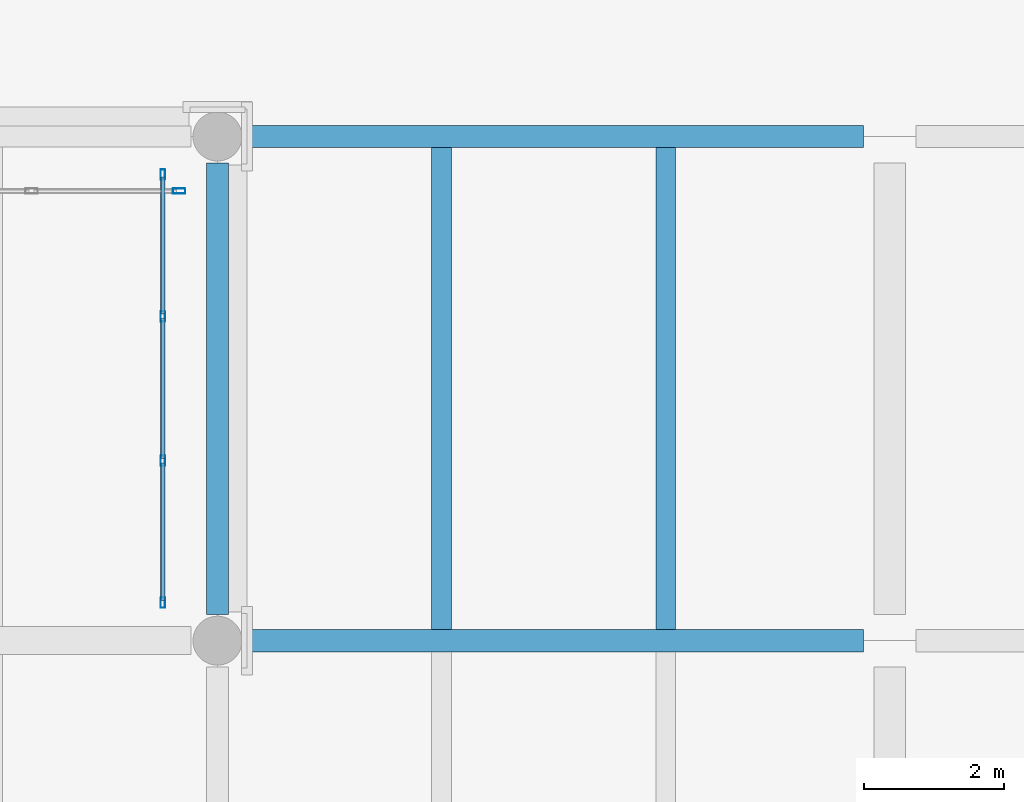
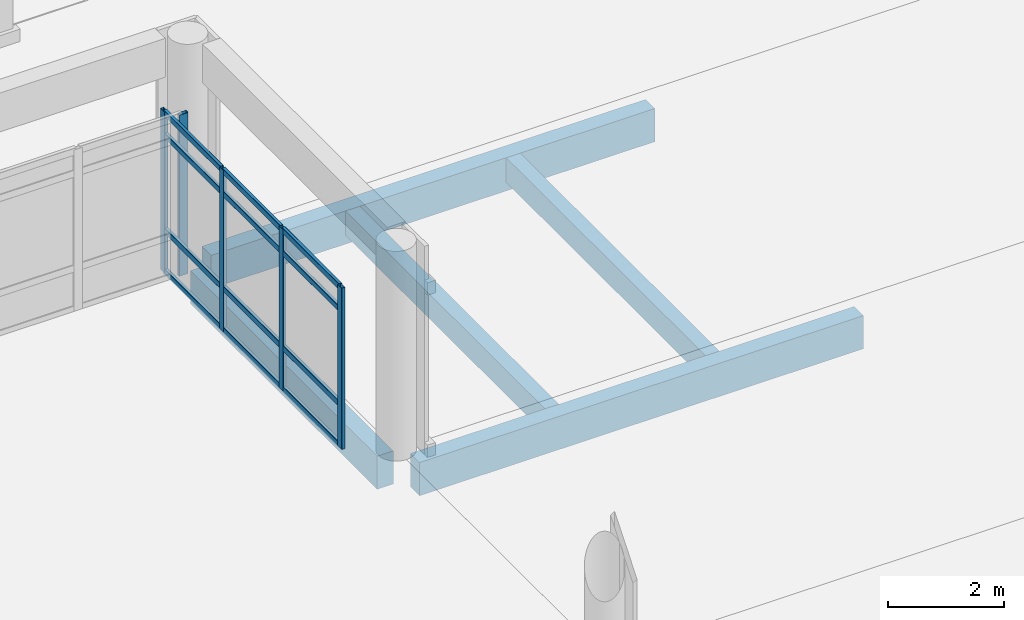
# One storey, part 66 of 196: 17 members, 5 beams, 2 elements without a shape of their own.
"""IFC4 building model written with IfcOpenShell, lengths in metres."""

from ifc_helpers import new_model, si_unit, direction, frame, origin, origin_2d, place, context, subcontext, project, spatial, rectangle, hollow_rectangle, extrude, material, layer, layer_set, material_profile, profile_set, type_object, element, aggregate, save


model = new_model("IFC4")

# Units and contexts
model_context = context("Model", 3, precision=1e-05, world=origin(), true_north=direction((0.0, 1.0)))
body_context = subcontext(model_context, "Body", "Model", "MODEL_VIEW")
ifc_project = project(units=[si_unit("LENGTHUNIT", "METRE"), si_unit("AREAUNIT", "SQUARE_METRE"), si_unit("VOLUMEUNIT", "CUBIC_METRE"), si_unit("PLANEANGLEUNIT", "RADIAN"), si_unit("MASSUNIT", "GRAM", prefix="KILO")], contexts=[model_context])

# Site, building, storey
site_placement = place(None, origin())
site = spatial("IfcSite", under=ifc_project, at=site_placement, CompositionType="ELEMENT")
building_placement = place(site_placement, origin())
building = spatial("IfcBuilding", under=site, at=building_placement, Name="Asteropetra Specialist Clinic", CompositionType="ELEMENT")
storey_placement = place(building_placement, origin())
storey = spatial("IfcBuildingStorey", under=building, at=storey_placement, Name="L00", CompositionType="ELEMENT", Elevation=0.0)

# Curtain wall, members
ifc_material_1 = material(Name="Aluminium and low-E glass", Category="aluminium")
ifc_layer_1 = layer(ifc_material_1, 0.179931640625)
ifc_layer_set_1 = layer_set([ifc_layer_1], Name="Aluminium and low-E glass")
curtain_wall_type_1 = type_object("IfcCurtainWallType", Name="CW-SYS-01", PredefinedType="USERDEFINED", material=ifc_layer_set_1)
curtain_wall_1_placement = place(storey_placement, origin())
curtain_wall_1 = element("IfcCurtainWall", 1, at=curtain_wall_1_placement, inside=storey, type_object=curtain_wall_type_1, Name="Curtain Wall CW-154", ObjectType="UNITISED CURTAIN WALL", PredefinedType="USERDEFINED")
ifc_material_2 = material(Name="Aluminium 6063-T6", Category="aluminium")
ifc_material_profile_1 = material_profile(ifc_material_2, hollow_rectangle(XDim=0.06494140625, YDim=0.14990234375, WallThickness=0.00390625, InnerFilletRadius=0.00390625, OuterFilletRadius=0.008056640625, at=origin_2d()), Name="MUL 150x65x4.0")
ifc_profile_set_1 = profile_set([ifc_material_profile_1], Name="Aluminium 6063-T6")
member_type_1 = type_object("IfcMemberType", Name="CWM-150x65", PredefinedType="MULLION", material=ifc_profile_set_1)
member_1_placement = place(storey_placement, frame((47.219970703125, 55.742431640625, 0.0), z_axis=(0.0, 0.0, 1.0), x_axis=(-1.0, 0.0, 0.0)))
member_1 = element("IfcMember", 2, at=member_1_placement, type_object=member_type_1, Name="CW-154 mullion 1", PredefinedType="MULLION", context=body_context, shape_type="SweptSolid", body=[
    extrude(hollow_rectangle(XDim=0.06494140625, YDim=0.14990234375, WallThickness=0.00390625, InnerFilletRadius=0.00390625, OuterFilletRadius=0.008056640625, at=origin_2d()), origin(), (0.0, 0.0, 1.0), 3.39990234375),
])
member_2_placement = place(storey_placement, frame((47.219970703125, 57.77001953125, 0.0), z_axis=(0.0, 0.0, 1.0), x_axis=(-1.0, 0.0, 0.0)))
member_2 = element("IfcMember", 3, at=member_2_placement, type_object=member_type_1, Name="CW-154 mullion 2", PredefinedType="MULLION", context=body_context, shape_type="SweptSolid", body=[
    extrude(hollow_rectangle(XDim=0.06494140625, YDim=0.14990234375, WallThickness=0.00390625, InnerFilletRadius=0.00390625, OuterFilletRadius=0.008056640625, at=origin_2d()), origin(), (0.0, 0.0, 1.0), 3.39990234375),
])
member_3_placement = place(storey_placement, frame((47.219970703125, 59.830078125, 0.0), z_axis=(0.0, 0.0, 1.0), x_axis=(-1.0, 0.0, 0.0)))
member_3 = element("IfcMember", 4, at=member_3_placement, type_object=member_type_1, Name="CW-154 mullion 3", PredefinedType="MULLION", context=body_context, shape_type="SweptSolid", body=[
    extrude(hollow_rectangle(XDim=0.06494140625, YDim=0.14990234375, WallThickness=0.00390625, InnerFilletRadius=0.00390625, OuterFilletRadius=0.008056640625, at=origin_2d()), origin(), (0.0, 0.0, 1.0), 3.39990234375),
])
member_4_placement = place(storey_placement, frame((47.219970703125, 61.857421875, 0.0), z_axis=(0.0, 0.0, 1.0), x_axis=(-1.0, 0.0, 0.0)))
member_4 = element("IfcMember", 5, at=member_4_placement, type_object=member_type_1, Name="CW-154 mullion 4", PredefinedType="MULLION", context=body_context, shape_type="SweptSolid", body=[
    extrude(hollow_rectangle(XDim=0.06494140625, YDim=0.14990234375, WallThickness=0.00390625, InnerFilletRadius=0.00390625, OuterFilletRadius=0.008056640625, at=origin_2d()), origin(), (0.0, 0.0, 1.0), 3.39990234375),
])

# Curtain wall, member
ifc_material_3 = material(Name="Aluminium and low-E glass", Category="aluminium")
ifc_layer_2 = layer(ifc_material_3, 0.14990234375)
ifc_layer_set_2 = layer_set([ifc_layer_2], Name="Aluminium and low-E glass")
curtain_wall_type_2 = type_object("IfcCurtainWallType", Name="CW-SYS-11", PredefinedType="USERDEFINED", material=ifc_layer_set_2)
curtain_wall_2_placement = place(storey_placement, origin())
curtain_wall_2 = element("IfcCurtainWall", 6, at=curtain_wall_2_placement, inside=storey, type_object=curtain_wall_type_2, Name="Curtain Wall CW-150", ObjectType="STICK GLAZED COLONNADE", PredefinedType="USERDEFINED")
ifc_material_4 = material(Name="Aluminium 6063-T6", Category="aluminium")
ifc_material_profile_2 = material_profile(ifc_material_4, hollow_rectangle(XDim=0.074951171875, YDim=0.179931640625, WallThickness=0.00390625, InnerFilletRadius=0.00390625, OuterFilletRadius=0.008056640625, at=origin_2d()), Name="MUL 180x75x4.0")
ifc_profile_set_2 = profile_set([ifc_material_profile_2], Name="Aluminium 6063-T6")
member_type_2 = type_object("IfcMemberType", Name="CWM-180x75", PredefinedType="MULLION", material=ifc_profile_set_2)
member_5_placement = place(storey_placement, frame((47.452392578125, 61.6201171875, 0.0), z_axis=(0.0, 0.0, 1.0), x_axis=(0.0, -1.0, 0.0)))
member_5 = element("IfcMember", 7, at=member_5_placement, type_object=member_type_2, Name="CW-150 mullion 1", PredefinedType="MULLION", context=body_context, shape_type="SweptSolid", body=[
    extrude(hollow_rectangle(XDim=0.074951171875, YDim=0.179931640625, WallThickness=0.00390625, InnerFilletRadius=0.00390625, OuterFilletRadius=0.008056640625, at=origin_2d()), origin(), (0.0, 0.0, 1.0), 3.39990234375),
])
aggregate(curtain_wall_2, [member_5])

# Member
ifc_material_5 = material(Name="Aluminium 6063-T6", Category="aluminium")
ifc_material_profile_3 = material_profile(ifc_material_5, hollow_rectangle(XDim=0.06494140625, YDim=0.1201171875, WallThickness=0.00390625, InnerFilletRadius=0.00390625, OuterFilletRadius=0.008056640625, at=origin_2d()), Name="TRN 120x65x4.0")
ifc_profile_set_3 = profile_set([ifc_material_profile_3], Name="Aluminium 6063-T6")
member_type_3 = type_object("IfcMemberType", Name="CWT-120x65", PredefinedType="USERDEFINED", material=ifc_profile_set_3)
member_6_placement = place(storey_placement, frame((47.219970703125, 55.77490234375, 0.032470703125), z_axis=(0.0, 1.0, 0.0), x_axis=(-1.0, 0.0, 0.0)))
member_6 = element("IfcMember", 8, at=member_6_placement, type_object=member_type_3, Name="CW-154 transom 1.1", ObjectType="TRANSOM", PredefinedType="USERDEFINED", context=body_context, shape_type="SweptSolid", body=[
    extrude(hollow_rectangle(XDim=0.06494140625, YDim=0.1201171875, WallThickness=0.00390625, InnerFilletRadius=0.00390625, OuterFilletRadius=0.008056640625, at=origin_2d()), origin(), (0.0, 0.0, 1.0), 1.962646484375),
])

member_7_placement = place(storey_placement, frame((47.219970703125, 55.77490234375, 0.89990234375), z_axis=(0.0, 1.0, 0.0), x_axis=(-1.0, 0.0, 0.0)))
member_7 = element("IfcMember", 9, at=member_7_placement, type_object=member_type_3, Name="CW-154 transom 1.2", ObjectType="TRANSOM", PredefinedType="USERDEFINED", context=body_context, shape_type="SweptSolid", body=[
    extrude(hollow_rectangle(XDim=0.06494140625, YDim=0.1201171875, WallThickness=0.00390625, InnerFilletRadius=0.00390625, OuterFilletRadius=0.008056640625, at=origin_2d()), origin(), (0.0, 0.0, 1.0), 1.962646484375),
])

member_8_placement = place(storey_placement, frame((47.219970703125, 55.77490234375, 2.89990234375), z_axis=(0.0, 1.0, 0.0), x_axis=(-1.0, 0.0, 0.0)))
member_8 = element("IfcMember", 10, at=member_8_placement, type_object=member_type_3, Name="CW-154 transom 1.3", ObjectType="TRANSOM", PredefinedType="USERDEFINED", context=body_context, shape_type="SweptSolid", body=[
    extrude(hollow_rectangle(XDim=0.06494140625, YDim=0.1201171875, WallThickness=0.00390625, InnerFilletRadius=0.00390625, OuterFilletRadius=0.008056640625, at=origin_2d()), origin(), (0.0, 0.0, 1.0), 1.962646484375),
])

member_9_placement = place(storey_placement, frame((47.219970703125, 55.77490234375, 3.367431640625), z_axis=(0.0, 1.0, 0.0), x_axis=(-1.0, 0.0, 0.0)))
member_9 = element("IfcMember", 11, at=member_9_placement, type_object=member_type_3, Name="CW-154 transom 1.4", ObjectType="TRANSOM", PredefinedType="USERDEFINED", context=body_context, shape_type="SweptSolid", body=[
    extrude(hollow_rectangle(XDim=0.06494140625, YDim=0.1201171875, WallThickness=0.00390625, InnerFilletRadius=0.00390625, OuterFilletRadius=0.008056640625, at=origin_2d()), origin(), (0.0, 0.0, 1.0), 1.962646484375),
])

member_10_placement = place(storey_placement, frame((47.219970703125, 57.802490234375, 0.032470703125), z_axis=(0.0, 1.0, 0.0), x_axis=(-1.0, 0.0, 0.0)))
member_10 = element("IfcMember", 12, at=member_10_placement, type_object=member_type_3, Name="CW-154 transom 2.1", ObjectType="TRANSOM", PredefinedType="USERDEFINED", context=body_context, shape_type="SweptSolid", body=[
    extrude(hollow_rectangle(XDim=0.06494140625, YDim=0.1201171875, WallThickness=0.00390625, InnerFilletRadius=0.00390625, OuterFilletRadius=0.008056640625, at=origin_2d()), origin(), (0.0, 0.0, 1.0), 1.9951171875),
])

member_11_placement = place(storey_placement, frame((47.219970703125, 57.802490234375, 0.89990234375), z_axis=(0.0, 1.0, 0.0), x_axis=(-1.0, 0.0, 0.0)))
member_11 = element("IfcMember", 13, at=member_11_placement, type_object=member_type_3, Name="CW-154 transom 2.2", ObjectType="TRANSOM", PredefinedType="USERDEFINED", context=body_context, shape_type="SweptSolid", body=[
    extrude(hollow_rectangle(XDim=0.06494140625, YDim=0.1201171875, WallThickness=0.00390625, InnerFilletRadius=0.00390625, OuterFilletRadius=0.008056640625, at=origin_2d()), origin(), (0.0, 0.0, 1.0), 1.9951171875),
])

member_12_placement = place(storey_placement, frame((47.219970703125, 57.802490234375, 2.89990234375), z_axis=(0.0, 1.0, 0.0), x_axis=(-1.0, 0.0, 0.0)))
member_12 = element("IfcMember", 14, at=member_12_placement, type_object=member_type_3, Name="CW-154 transom 2.3", ObjectType="TRANSOM", PredefinedType="USERDEFINED", context=body_context, shape_type="SweptSolid", body=[
    extrude(hollow_rectangle(XDim=0.06494140625, YDim=0.1201171875, WallThickness=0.00390625, InnerFilletRadius=0.00390625, OuterFilletRadius=0.008056640625, at=origin_2d()), origin(), (0.0, 0.0, 1.0), 1.9951171875),
])

member_13_placement = place(storey_placement, frame((47.219970703125, 57.802490234375, 3.367431640625), z_axis=(0.0, 1.0, 0.0), x_axis=(-1.0, 0.0, 0.0)))
member_13 = element("IfcMember", 15, at=member_13_placement, type_object=member_type_3, Name="CW-154 transom 2.4", ObjectType="TRANSOM", PredefinedType="USERDEFINED", context=body_context, shape_type="SweptSolid", body=[
    extrude(hollow_rectangle(XDim=0.06494140625, YDim=0.1201171875, WallThickness=0.00390625, InnerFilletRadius=0.00390625, OuterFilletRadius=0.008056640625, at=origin_2d()), origin(), (0.0, 0.0, 1.0), 1.9951171875),
])

member_14_placement = place(storey_placement, frame((47.219970703125, 59.862548828125, 0.032470703125), z_axis=(0.0, 1.0, 0.0), x_axis=(-1.0, 0.0, 0.0)))
member_14 = element("IfcMember", 16, at=member_14_placement, type_object=member_type_3, Name="CW-154 transom 3.1", ObjectType="TRANSOM", PredefinedType="USERDEFINED", context=body_context, shape_type="SweptSolid", body=[
    extrude(hollow_rectangle(XDim=0.06494140625, YDim=0.1201171875, WallThickness=0.00390625, InnerFilletRadius=0.00390625, OuterFilletRadius=0.008056640625, at=origin_2d()), origin(), (0.0, 0.0, 1.0), 1.96240234375),
])

member_15_placement = place(storey_placement, frame((47.219970703125, 59.862548828125, 0.89990234375), z_axis=(0.0, 1.0, 0.0), x_axis=(-1.0, 0.0, 0.0)))
member_15 = element("IfcMember", 17, at=member_15_placement, type_object=member_type_3, Name="CW-154 transom 3.2", ObjectType="TRANSOM", PredefinedType="USERDEFINED", context=body_context, shape_type="SweptSolid", body=[
    extrude(hollow_rectangle(XDim=0.06494140625, YDim=0.1201171875, WallThickness=0.00390625, InnerFilletRadius=0.00390625, OuterFilletRadius=0.008056640625, at=origin_2d()), origin(), (0.0, 0.0, 1.0), 1.96240234375),
])

member_16_placement = place(storey_placement, frame((47.219970703125, 59.862548828125, 2.89990234375), z_axis=(0.0, 1.0, 0.0), x_axis=(-1.0, 0.0, 0.0)))
member_16 = element("IfcMember", 18, at=member_16_placement, type_object=member_type_3, Name="CW-154 transom 3.3", ObjectType="TRANSOM", PredefinedType="USERDEFINED", context=body_context, shape_type="SweptSolid", body=[
    extrude(hollow_rectangle(XDim=0.06494140625, YDim=0.1201171875, WallThickness=0.00390625, InnerFilletRadius=0.00390625, OuterFilletRadius=0.008056640625, at=origin_2d()), origin(), (0.0, 0.0, 1.0), 1.96240234375),
])

member_17_placement = place(storey_placement, frame((47.219970703125, 59.862548828125, 3.367431640625), z_axis=(0.0, 1.0, 0.0), x_axis=(-1.0, 0.0, 0.0)))
member_17 = element("IfcMember", 19, at=member_17_placement, type_object=member_type_3, Name="CW-154 transom 3.4", ObjectType="TRANSOM", PredefinedType="USERDEFINED", context=body_context, shape_type="SweptSolid", body=[
    extrude(hollow_rectangle(XDim=0.06494140625, YDim=0.1201171875, WallThickness=0.00390625, InnerFilletRadius=0.00390625, OuterFilletRadius=0.008056640625, at=origin_2d()), origin(), (0.0, 0.0, 1.0), 1.96240234375),
])

aggregate(curtain_wall_1, [member_1, member_2, member_3, member_4, member_6, member_7, member_8, member_9, member_10, member_11, member_12, member_13, member_14, member_15, member_16, member_17])

# Beams
ifc_material_6 = material(Name="Concrete C35/45", Category="concrete")
ifc_material_profile_4 = material_profile(ifc_material_6, rectangle(XDim=0.280029296875, YDim=0.52001953125, at=origin_2d()), Name="RCJ 280x520")
ifc_profile_set_4 = profile_set([ifc_material_profile_4], Name="Concrete C35/45")
beam_type_1 = type_object("IfcBeamType", Name="JST-RC280x520", PredefinedType="JOIST", material=ifc_profile_set_4)
for number, where, z_axis, x_axis, name in (
    (20, (51.199951171875, 55.360107421875, -0.570068359375), (0.0, 1.0, 0.0), (-1.0, 0.0, 0.0), "Joist JJST01-0129"),
    (21, (54.39990234375, 55.360107421875, -0.570068359375), (0.0, 1.0, 0.0), (-1.0, 0.0, 0.0), "Joist JJST01-0130"),
):
    element("IfcBeam", number, at=place(storey_placement, frame(where, z_axis=z_axis, x_axis=x_axis)), inside=storey, type_object=beam_type_1, Name=name, PredefinedType="JOIST", context=body_context, shape_type="SweptSolid", body=[
        extrude(rectangle(XDim=0.280029296875, YDim=0.52001953125, at=origin_2d()), origin(), (0.0, 0.0, 1.0), 6.8798828125),
    ])
ifc_material_7 = material(Name="Concrete C35/45", Category="concrete")
ifc_material_profile_5 = material_profile(ifc_material_7, rectangle(XDim=0.320068359375, YDim=0.699951171875, at=origin_2d()), Name="RCS 320x700")
ifc_profile_set_5 = profile_set([ifc_material_profile_5], Name="Concrete C35/45")
beam_type_2 = type_object("IfcBeamType", Name="SPN-RC320x700", PredefinedType="SPANDREL", material=ifc_profile_set_5)
for number, where, z_axis, x_axis, name in (
    (22, (48.375, 55.199951171875, -0.659912109375), (1.0, 0.0, 0.0), (0.0, 1.0, 0.0), "Beam BSPN02-0115"),
    (23, (48.375, 62.39990234375, -0.659912109375), (1.0, 0.0, 0.0), (0.0, 1.0, 0.0), "Beam BSPN02-0124"),
):
    element("IfcBeam", number, at=place(storey_placement, frame(where, z_axis=z_axis, x_axis=x_axis)), inside=storey, type_object=beam_type_2, Name=name, PredefinedType="SPANDREL", context=body_context, shape_type="SweptSolid", body=[
        extrude(rectangle(XDim=0.320068359375, YDim=0.699951171875, at=origin_2d()), origin(), (0.0, 0.0, 1.0), 8.85009765625),
    ])
beam_placement = place(storey_placement, frame((48.0, 55.574951171875, -0.659912109375), z_axis=(0.0, 1.0, 0.0), x_axis=(-1.0, 0.0, 0.0)))
element("IfcBeam", 24, at=beam_placement, inside=storey, type_object=beam_type_2, Name="Beam BSPN02-0126", PredefinedType="SPANDREL", context=body_context, shape_type="SweptSolid", body=[
    extrude(rectangle(XDim=0.320068359375, YDim=0.699951171875, at=origin_2d()), origin(), (0.0, 0.0, 1.0), 6.449951171875),
])

save(model, "model.ifc")
